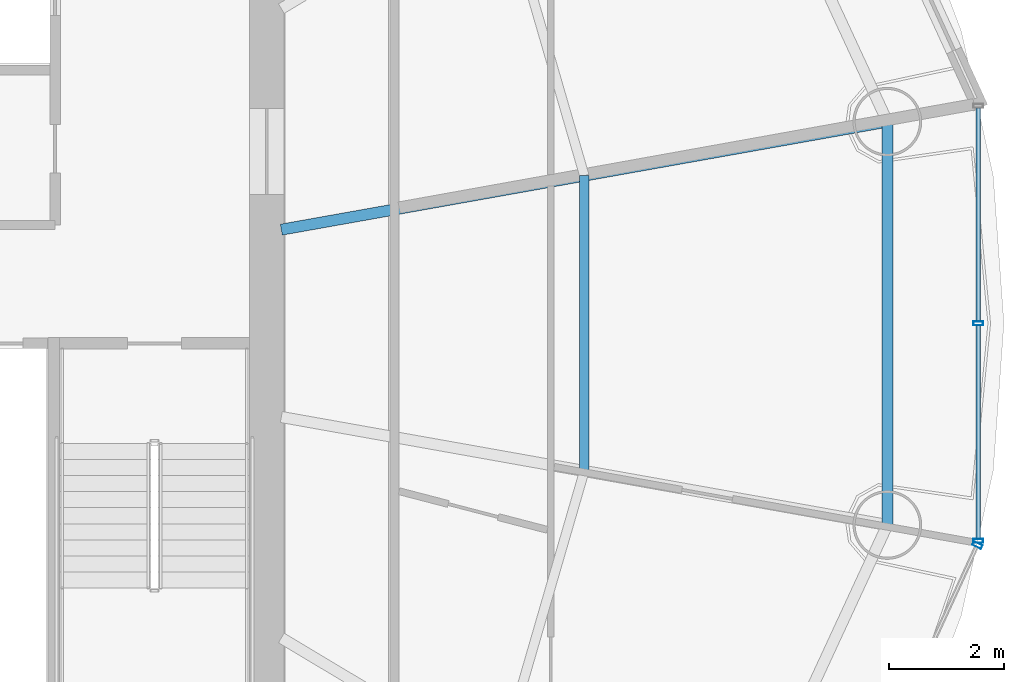
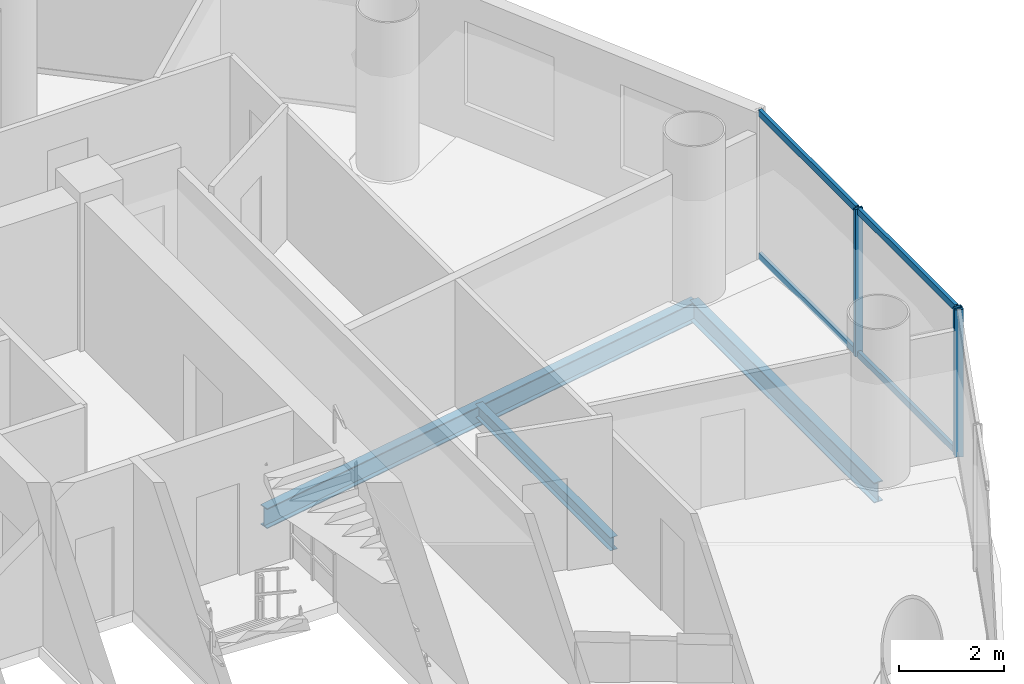
# One storey, part 12 of 27: 7 members, 3 beams, 2 elements without a shape of their own.
"""IFC4 building model written with IfcOpenShell, lengths in metres."""

from ifc_helpers import new_model, si_unit, direction, frame, origin, origin_2d, place, context, subcontext, project, spatial, hollow_rectangle, i_section, extrude, source, transform, mapped, material, material_profile, profile_set, type_object, element, aggregate, save


model = new_model("IFC4")

# Units and contexts
model_context = context("Model", 3, precision=1e-05, world=origin(), true_north=direction((-0.2419218956, 0.970295726276)))
body_context = subcontext(model_context, "Body", "Model", "MODEL_VIEW")
ifc_project = project(units=[si_unit("LENGTHUNIT", "METRE"), si_unit("AREAUNIT", "SQUARE_METRE"), si_unit("VOLUMEUNIT", "CUBIC_METRE"), si_unit("PLANEANGLEUNIT", "RADIAN"), si_unit("MASSUNIT", "GRAM", prefix="KILO")], contexts=[model_context])

# Site, building, storey
site_placement = place(None, origin())
site = spatial("IfcSite", under=ifc_project, at=site_placement, CompositionType="ELEMENT")
building_placement = place(site_placement, origin())
building = spatial("IfcBuilding", under=site, at=building_placement, Name="Cobrevalo Terracotta Tower", CompositionType="ELEMENT")
storey_placement = place(building_placement, frame((0.0, 0.0, 194.89990234375)))
storey = spatial("IfcBuildingStorey", under=building, at=storey_placement, Name="L51", CompositionType="ELEMENT", Elevation=194.89990234375)

# Beams
ifc_material_1 = material(Name="Steel S355", Category="steel")
ifc_material_profile_1 = material_profile(ifc_material_1, i_section(OverallWidth=0.194091796875, OverallDepth=0.468994140625, WebThickness=0.011474609375, FlangeThickness=0.0205078125, at=origin_2d()), Name="W 460x106")
ifc_profile_set_1 = profile_set([ifc_material_profile_1], Name="Steel S355")
beam_type_1 = type_object("IfcBeamType", Name="Structural Beam W 460x106 (Steel S355)", PredefinedType="BEAM", material=ifc_profile_set_1)
beam_1_placement = place(storey_placement, frame((57.762939453125, 30.3212890625, -0.49951171875), z_axis=(-0.98449712063, -0.175400739656, 0.0), x_axis=(0.175400739656, -0.98449712063, 0.0)))
element("IfcBeam", 1, at=beam_1_placement, inside=storey, type_object=beam_type_1, Name="L51 radial floor girder 01", PredefinedType="BEAM", context=body_context, shape_type="SweptSolid", body=[
    extrude(i_section(OverallWidth=0.194091796875, OverallDepth=0.468994140625, WebThickness=0.011474609375, FlangeThickness=0.0205078125, at=origin_2d()), origin(), (0.0, 0.0, 1.0), 10.749755859375),
])
ifc_material_profile_2 = material_profile(ifc_material_1, i_section(OverallWidth=0.1650390625, OverallDepth=0.31005859375, WebThickness=0.005859375, FlangeThickness=0.009765625, at=origin_2d()), Name="W 310x38.7")
ifc_profile_set_2 = profile_set([ifc_material_profile_2], Name="Steel S355")
beam_type_2 = type_object("IfcBeamType", Name="Structural Joist W 310x38.7 (Steel S355)", PredefinedType="JOIST", material=ifc_profile_set_2)
beam_2_placement = place(storey_placement, frame((52.471435546875, 24.221435546875, -0.419921875), z_axis=(0.0, 1.0, 0.0), x_axis=(-1.0, 0.0, 0.0)))
element("IfcBeam", 2, at=beam_2_placement, inside=storey, type_object=beam_type_2, Name="L51 circumferential secondary floor joist 16", PredefinedType="JOIST", context=body_context, shape_type="SweptSolid", body=[
    extrude(i_section(OverallWidth=0.1650390625, OverallDepth=0.31005859375, WebThickness=0.005859375, FlangeThickness=0.009765625, at=origin_2d()), origin(), (0.0, 0.0, 1.0), 5.1572265625),
])
ifc_material_profile_3 = material_profile(ifc_material_1, i_section(OverallWidth=0.194091796875, OverallDepth=0.468994140625, WebThickness=0.011474609375, FlangeThickness=0.0205078125, at=origin_2d()), Name="W 460x106")
ifc_profile_set_3 = profile_set([ifc_material_profile_3], Name="Steel S355")
beam_type_3 = type_object("IfcBeamType", Name="Structural Spandrel W 460x106 (Steel S355)", PredefinedType="SPANDREL", material=ifc_profile_set_3)
beam_3_placement = place(storey_placement, frame((57.762939453125, 23.278564453125, -0.49951171875), z_axis=(0.0, 1.0, 0.0), x_axis=(-1.0, 0.0, 0.0)))
element("IfcBeam", 3, at=beam_3_placement, inside=storey, type_object=beam_type_3, Name="L51 perimeter ring spandrel 16", PredefinedType="SPANDREL", context=body_context, shape_type="SweptSolid", body=[
    extrude(i_section(OverallWidth=0.194091796875, OverallDepth=0.468994140625, WebThickness=0.011474609375, FlangeThickness=0.0205078125, at=origin_2d()), origin(), (0.0, 0.0, 1.0), 7.042724609375),
])

# Curtain wall, members
ifc_material_2 = material(Name="Anodized aluminium", Category="aluminium")
curtain_wall_type = type_object("IfcCurtainWallType", Name="Mid-tower high-wind unitised curtain wall CW-U2", PredefinedType="NOTDEFINED", material=ifc_material_2)
curtain_wall_1_placement = place(storey_placement, origin())
curtain_wall_1 = element("IfcCurtainWall", 4, at=curtain_wall_1_placement, inside=storey, type_object=curtain_wall_type, Name="L51 curtain wall CW-L51-S16", PredefinedType="NOTDEFINED")
ifc_material_profile_4 = material_profile(ifc_material_2, hollow_rectangle(XDim=0.074951171875, YDim=0.14990234375, WallThickness=0.00439453125, at=origin_2d()), Name="CWT 75x150")
ifc_profile_set_4 = profile_set([ifc_material_profile_4], Name="Anodized aluminium")
member_type_1 = type_object("IfcMemberType", Name="Tower unitised aluminium transom 75x150", PredefinedType="USERDEFINED", material=ifc_profile_set_4)
shared_shape_1 = source(origin(), body_context, "Body", "SweptSolid", [
    extrude(hollow_rectangle(XDim=0.074951171875, YDim=0.14990234375, WallThickness=0.00439453125, at=origin_2d()), origin(), (0.0, 0.0, 1.0), 3.71728515625),
])
member_1_placement = place(storey_placement, frame((59.351806640625, 26.840087890625, 0.050048828125), z_axis=(0.0, 1.0, 0.0), x_axis=(-1.0, 0.0, 0.0)))
member_1 = element("IfcMember", 5, at=member_1_placement, type_object=member_type_1, Name="CW-L51-S16 transom B02-T1", ObjectType="TRANSOM", PredefinedType="USERDEFINED", context=body_context, shape_type="MappedRepresentation", body=[
    mapped(shared_shape_1, transform((0.0, 0.0, 0.0), scale=1.0)),
])
member_2_placement = place(storey_placement, frame((59.351806640625, 26.840087890625, 3.385009765625), z_axis=(0.0, 1.0, 0.0), x_axis=(-1.0, 0.0, 0.0)))
member_2 = element("IfcMember", 6, at=member_2_placement, type_object=member_type_1, Name="CW-L51-S16 transom B02-T2", ObjectType="TRANSOM", PredefinedType="USERDEFINED", context=body_context, shape_type="MappedRepresentation", body=[
    mapped(shared_shape_1, transform((0.0, 0.0, 0.0), scale=1.0)),
])
shared_shape_2 = source(origin(), body_context, "Body", "SweptSolid", [
    extrude(hollow_rectangle(XDim=0.074951171875, YDim=0.14990234375, WallThickness=0.00439453125, at=origin_2d()), origin(), (0.0, 0.0, 1.0), 3.717529296875),
])
member_3_placement = place(storey_placement, frame((59.351806640625, 23.04248046875, 0.050048828125), z_axis=(0.0, 1.0, 0.0), x_axis=(-1.0, 0.0, 0.0)))
member_3 = element("IfcMember", 7, at=member_3_placement, type_object=member_type_1, Name="CW-L51-S16 transom B01-T1", ObjectType="TRANSOM", PredefinedType="USERDEFINED", context=body_context, shape_type="MappedRepresentation", body=[
    mapped(shared_shape_2, transform((0.0, 0.0, 0.0), scale=1.0)),
])
member_4_placement = place(storey_placement, frame((59.351806640625, 23.04248046875, 3.385009765625), z_axis=(0.0, 1.0, 0.0), x_axis=(-1.0, 0.0, 0.0)))
member_4 = element("IfcMember", 8, at=member_4_placement, type_object=member_type_1, Name="CW-L51-S16 transom B01-T2", ObjectType="TRANSOM", PredefinedType="USERDEFINED", context=body_context, shape_type="MappedRepresentation", body=[
    mapped(shared_shape_2, transform((0.0, 0.0, 0.0), scale=1.0)),
])

# Curtain wall, member
curtain_wall_2_placement = place(storey_placement, origin())
curtain_wall_2 = element("IfcCurtainWall", 9, at=curtain_wall_2_placement, inside=storey, type_object=curtain_wall_type, Name="L51 curtain wall CW-L51-S15", PredefinedType="NOTDEFINED")
ifc_material_profile_5 = material_profile(ifc_material_2, hollow_rectangle(XDim=0.070068359375, YDim=0.169921875, WallThickness=0.00439453125, at=origin_2d()), Name="CWM 70x170")
ifc_profile_set_5 = profile_set([ifc_material_profile_5], Name="Anodized aluminium")
member_type_2 = type_object("IfcMemberType", Name="Upper tower unitised mullion 70x170", PredefinedType="MULLION", material=ifc_profile_set_5)
shared_shape_3 = source(origin(), body_context, "Body", "SweptSolid", [
    extrude(hollow_rectangle(XDim=0.070068359375, YDim=0.169921875, WallThickness=0.00439453125, at=origin_2d()), origin(), (0.0, 0.0, 1.0), 3.43505859375),
])
member_5_placement = place(storey_placement, frame((59.3349609375, 22.92626953125, 0.0), z_axis=(0.0, 0.0, 1.0), x_axis=(0.41672507912, 0.909032567311, 0.0)))
member_5 = element("IfcMember", 10, at=member_5_placement, type_object=member_type_2, Name="CW-L51-S15 vertical mullion 03", PredefinedType="MULLION", context=body_context, shape_type="MappedRepresentation", body=[
    mapped(shared_shape_3, transform((0.0, 0.0, 0.0), scale=1.0)),
])
aggregate(curtain_wall_2, [member_5])

# Member
member_6_placement = place(storey_placement, frame((59.351806640625, 23.002685546875, 0.0), z_axis=(0.0, 0.0, 1.0), x_axis=(0.0, 1.0, 0.0)))
member_6 = element("IfcMember", 11, at=member_6_placement, type_object=member_type_2, Name="CW-L51-S16 vertical mullion 01", PredefinedType="MULLION", context=body_context, shape_type="MappedRepresentation", body=[
    mapped(shared_shape_3, transform((0.0, 0.0, 0.0), scale=1.0)),
])

member_7_placement = place(storey_placement, frame((59.351806640625, 26.800048828125, 0.0), z_axis=(0.0, 0.0, 1.0), x_axis=(0.0, 1.0, 0.0)))
member_7 = element("IfcMember", 12, at=member_7_placement, type_object=member_type_2, Name="CW-L51-S16 vertical mullion 02", PredefinedType="MULLION", context=body_context, shape_type="MappedRepresentation", body=[
    mapped(shared_shape_3, transform((0.0, 0.0, 0.0), scale=1.0)),
])

aggregate(curtain_wall_1, [member_6, member_7, member_3, member_4, member_1, member_2])

save(model, "model.ifc")
